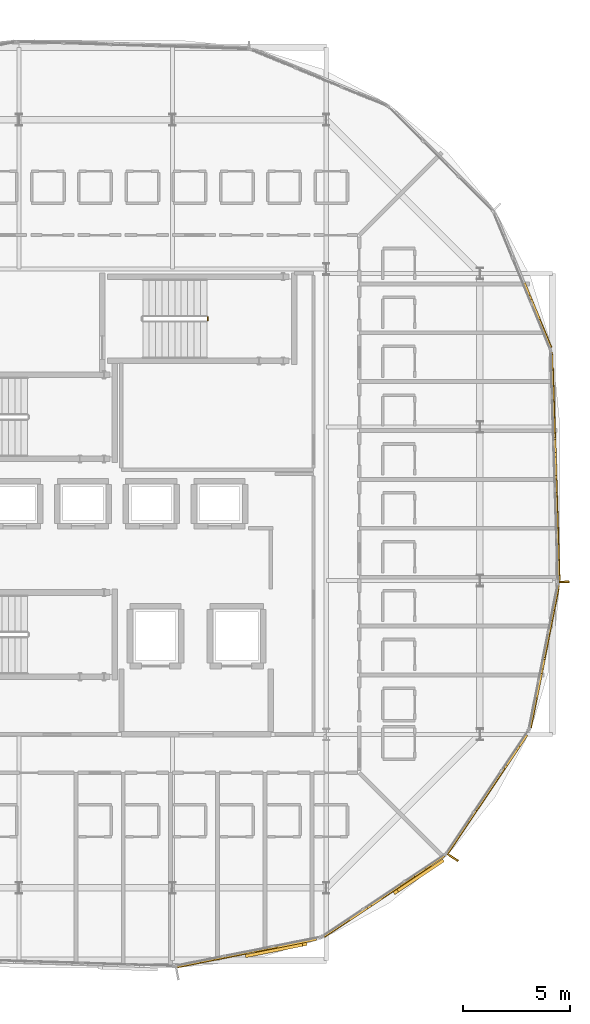
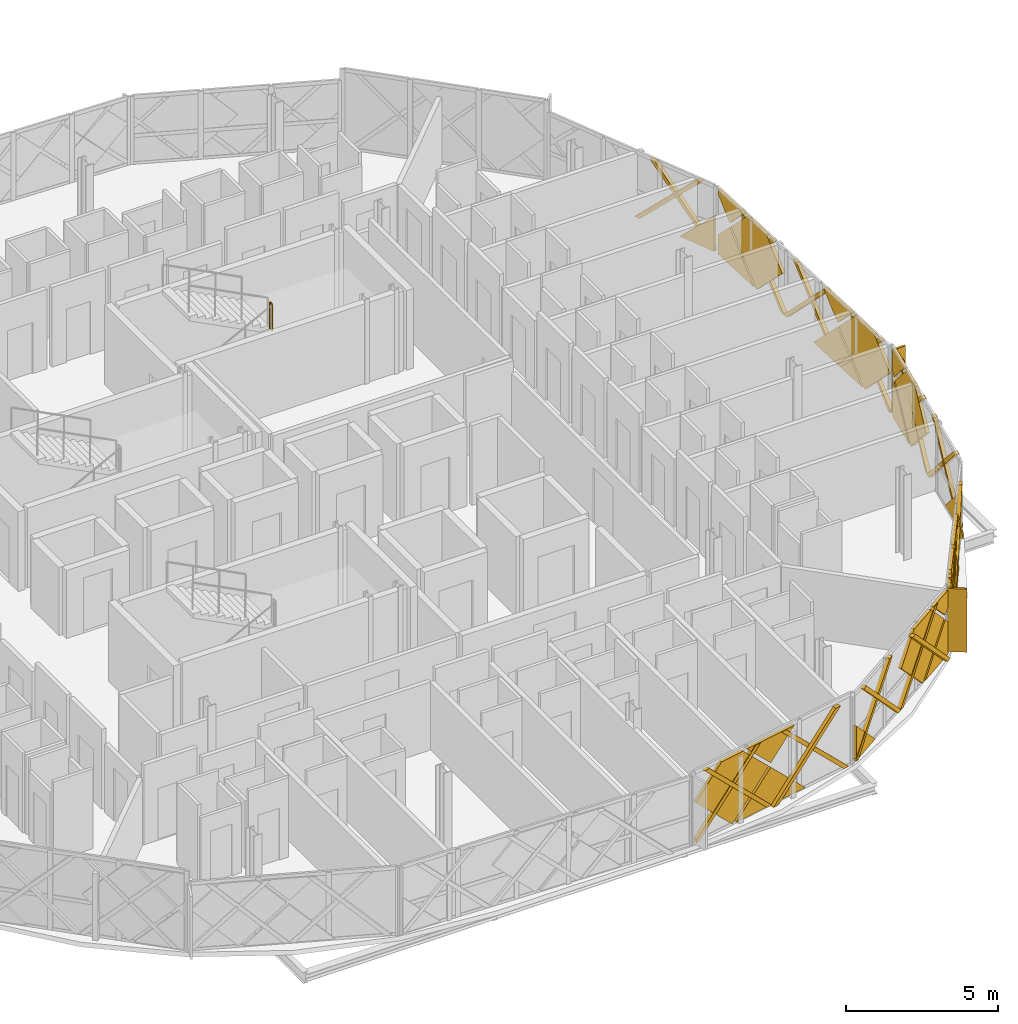
# One storey, part 48 of 50: 45 coverings, 2 shading devices, 1 railing.
"""IFC4 building model written with IfcOpenShell, lengths in metres."""

from ifc_helpers import new_model, si_unit, direction, frame, origin, origin_2d, place, context, subcontext, project, spatial, polyline, rectangle, circle, outline, extrude, material, layer, layer_set, type_object, element, save


model = new_model("IFC4")

# Units and contexts
model_context = context("Model", 3, precision=1e-05, world=origin(), true_north=direction((0.0, 1.0)))
body_context = subcontext(model_context, "Body", "Model", "MODEL_VIEW")
ifc_project = project(units=[si_unit("LENGTHUNIT", "METRE"), si_unit("AREAUNIT", "SQUARE_METRE"), si_unit("VOLUMEUNIT", "CUBIC_METRE"), si_unit("PLANEANGLEUNIT", "RADIAN"), si_unit("MASSUNIT", "GRAM", prefix="KILO")], contexts=[model_context])

# Site, building, storey
site_placement = place(None, origin())
site = spatial("IfcSite", under=ifc_project, at=site_placement, CompositionType="ELEMENT")
building_placement = place(site_placement, origin())
building = spatial("IfcBuilding", under=site, at=building_placement, Name="Zevrakil Square Congress Hotel", CompositionType="ELEMENT")
storey_placement = place(building_placement, frame((0.0, 0.0, 21.5)))
storey = spatial("IfcBuildingStorey", under=building, at=storey_placement, Name="L06", CompositionType="ELEMENT", Elevation=21.5)

# Coverings
ifc_material_1 = material(Name="Architectural White Fibre-C GRC", Category="concrete")
ifc_layer_1 = layer(ifc_material_1, 0.06494140625)
ifc_layer_set_1 = layer_set([ifc_layer_1], Name="Architectural White Fibre-C GRC")
covering_type_1 = type_object("IfcCoveringType", Name="COV-DIA-WHITE", PredefinedType="CLADDING", material=ifc_layer_set_1)
covering_1_placement = place(storey_placement, frame((152.21875, 6.503173828125, 1.590087890625), z_axis=(0.195074358725, -0.980788280172, 0.000586553491), x_axis=(0.693609627274, 0.137532945708, -0.707099974401)))
element("IfcCovering", 1, at=covering_1_placement, inside=storey, type_object=covering_type_1, Name="L06 45-degree white GRC diamond facade cassette 2478", PredefinedType="CLADDING", context=body_context, shape_type="SweptSolid", body=[
    extrude(outline(polyline([(0.0, 0.0), (2.135496846686384, 0.0), (6.252147105900718e-05, -2.1353939480228528), (0.0, 0.0)])), origin(), (0.0, 0.0, -1.0), 0.1201171875),
])
covering_2_placement = place(storey_placement, frame((152.130615234375, 6.485595703125, 1.679931640625), z_axis=(0.195077791754, -0.980787590783, 0.000597437351), x_axis=(-0.693482915894, -0.138363843984, -0.707062155713)))
element("IfcCovering", 2, at=covering_2_placement, inside=storey, type_object=covering_type_1, Name="L06 45-degree white GRC diamond facade cassette 2479", PredefinedType="CLADDING", context=body_context, shape_type="SweptSolid", body=[
    extrude(outline(polyline([(0.0, 0.0), (2.2485204294560215, -4.440892098500626e-16), (2.2487719968512794, -2.2343339293834266), (2.234616943929291, -2.2484907639587792), (0.6646961028299581, -2.248598034054498), (2.258299430069055e-05, -1.584008155403168), (0.0, 0.0)])), origin(), (0.0, 0.0, -1.0), 0.1201171875),
])
covering_3_placement = place(storey_placement, frame((152.21875, 6.50341796875, 1.77001953125), z_axis=(0.195067643182, -0.98078968103, 0.000464939408), x_axis=(-0.693559151212, -0.137605621833, 0.707135345327)))
element("IfcCovering", 3, at=covering_3_placement, inside=storey, type_object=covering_type_1, Name="L06 45-degree white GRC diamond facade cassette 2480", PredefinedType="CLADDING", context=body_context, shape_type="SweptSolid", body=[
    extrude(outline(polyline([(0.0, 0.0), (1.4566225598566156, 1.1102230246251565e-16), (-1.6695261860100175e-05, -1.456757261380807), (0.0, 0.0)])), origin(), (0.0, 0.0, -1.0), 0.1201171875),
])
covering_4_placement = place(storey_placement, frame((157.08447265625, 8.066650390625, 0.080078125), z_axis=(0.555618744269, -0.831436961663, 0.000624337381), x_axis=(-0.831437123709, -0.555618852558, 0.0)))
element("IfcCovering", 4, at=covering_4_placement, inside=storey, type_object=covering_type_1, Name="L06 45-degree white GRC diamond facade cassette 2485", PredefinedType="CLADDING", context=body_context, shape_type="SweptSolid", body=[
    extrude(outline(polyline([(0.0, 0.0), (1.4100444252712594, -5.421010862427522e-20), (1.4100434530275447, -1.409912384164952), (0.0, 0.0)])), origin(), (0.0, 0.0, -1.0), 0.1201171875),
])
covering_5_placement = place(storey_placement, frame((161.415771484375, 10.9619140625, 1.590087890625), z_axis=(0.555646371289, -0.83141852504, 0.000588466492), x_axis=(0.588259047676, 0.392639778992, -0.706954946782)))
element("IfcCovering", 5, at=covering_5_placement, inside=storey, type_object=covering_type_1, Name="L06 45-degree white GRC diamond facade cassette 2486", PredefinedType="CLADDING", context=body_context, shape_type="SweptSolid", body=[
    extrude(outline(polyline([(0.0, 0.0), (0.26280452104348384, 2.7755575615628914e-17), (1.1989671748778223, -0.9365658268783337), (-0.0003474997953980541, -2.135365949549591), (0.0, 0.0)])), origin(), (0.0, 0.0, -1.0), 0.1201171875),
])
covering_6_placement = place(storey_placement, frame((161.3408203125, 10.912109375, 1.679931640625), z_axis=(0.555617375152, -0.831437917465, 0.000567300516), x_axis=(-0.587738633932, -0.393245124827, -0.707051320615)))
element("IfcCovering", 6, at=covering_6_placement, inside=storey, type_object=covering_type_1, Name="L06 45-degree white GRC diamond facade cassette 2487", PredefinedType="CLADDING", context=body_context, shape_type="SweptSolid", body=[
    extrude(outline(polyline([(0.0, 0.0), (2.2485549969342724, 0.0), (2.248666170708535, -2.2483141302411838), (0.876864512526189, -2.24836589881734), (6.64782899535421e-05, -1.3717049327827517), (0.0, 0.0)])), origin(), (0.0, 0.0, -1.0), 0.1201171875),
])
covering_7_placement = place(storey_placement, frame((161.415771484375, 10.962158203125, 1.77001953125), z_axis=(0.55548496683, -0.831526383302, 0.000570525097), x_axis=(-0.588238161518, -0.392475891111, 0.707063321232)))
element("IfcCovering", 7, at=covering_7_placement, inside=storey, type_object=covering_type_1, Name="L06 45-degree white GRC diamond facade cassette 2488", PredefinedType="CLADDING", context=body_context, shape_type="SweptSolid", body=[
    extrude(outline(polyline([(0.0, 0.0), (1.244418573257192, 0.0), (0.49088577928966204, -0.7534405384711167), (0.0001669539378538476, -0.2625650616471176), (0.0, 0.0)])), origin(), (0.0, 0.0, -1.0), 0.1201171875),
])
covering_8_placement = place(storey_placement, frame((163.5458984375, 13.9404296875, 1.590087890625), z_axis=(0.831477485347, -0.555557927011, 0.000762296647), x_axis=(0.393284336532, 0.587639967958, -0.707111517864)))
element("IfcCovering", 8, at=covering_8_placement, inside=storey, type_object=covering_type_1, Name="L06 45-degree white GRC diamond facade cassette 2493", PredefinedType="CLADDING", context=body_context, shape_type="SweptSolid", body=[
    extrude(outline(polyline([(0.0, 0.0), (2.13546198509944, -2.220446049250313e-16), (7.94091468585556e-05, -2.135412425599662), (0.0, 0.0)])), origin(), (0.0, 0.0, -1.0), 0.1201171875),
])
covering_9_placement = place(storey_placement, frame((163.49609375, 13.865478515625, 1.679931640625), z_axis=(0.831455520838, -0.555590993949, 0.000603581663), x_axis=(-0.392537921791, -0.588210732742, -0.707051705212)))
element("IfcCovering", 9, at=covering_9_placement, inside=storey, type_object=covering_type_1, Name="L06 45-degree white GRC diamond facade cassette 2494", PredefinedType="CLADDING", context=body_context, shape_type="SweptSolid", body=[
    extrude(outline(polyline([(0.0, 0.0), (2.2485535568359056, 0.0), (2.2487990132814764, -2.234294706675563), (2.2346441695736265, -2.2484517503311783), (0.8770557034993053, -2.2485589464778397), (0.00016216354194020788, -1.371801650020413), (0.0, 0.0)])), origin(), (0.0, 0.0, -1.0), 0.1201171875),
])
covering_10_placement = place(storey_placement, frame((163.5458984375, 13.9404296875, 1.77001953125), z_axis=(0.831473529592, -0.555564145148, 0.000500214883), x_axis=(-0.393161565922, -0.587780464822, 0.70706301576)))
element("IfcCovering", 10, at=covering_10_placement, inside=storey, type_object=covering_type_1, Name="L06 45-degree white GRC diamond facade cassette 2495", PredefinedType="CLADDING", context=body_context, shape_type="SweptSolid", body=[
    extrude(outline(polyline([(0.0, 0.0), (1.244419228396692, 0.0), (-0.00015308060206342677, -1.244418572363953), (0.0, 0.0)])), origin(), (0.0, 0.0, -1.0), 0.1201171875),
])
covering_11_placement = place(storey_placement, frame((165.881103515625, 18.486328125, 0.080078125), z_axis=(0.980773112904, -0.195150299831, 0.000679323368), x_axis=(-0.19515034486, -0.980773339208, 0.0)))
element("IfcCovering", 11, at=covering_11_placement, inside=storey, type_object=covering_type_1, Name="L06 45-degree white GRC diamond facade cassette 2500", PredefinedType="CLADDING", context=body_context, shape_type="SweptSolid", body=[
    extrude(outline(polyline([(0.0, 0.0), (1.409920564436228, 5.421010862427522e-20), (1.4101111409448805, -1.4099124346984009), (0.0, 0.0)])), origin(), (0.0, 0.0, -1.0), 0.1201171875),
])
covering_12_placement = place(storey_placement, frame((166.896484375, 23.596435546875, 1.590087890625), z_axis=(0.980781294411, -0.195109431734, 0.000601815701), x_axis=(0.138356558336, 0.693312983016, -0.70723021029)))
element("IfcCovering", 12, at=covering_12_placement, inside=storey, type_object=covering_type_1, Name="L06 45-degree white GRC diamond facade cassette 2501", PredefinedType="CLADDING", context=body_context, shape_type="SweptSolid", body=[
    extrude(outline(polyline([(0.0, 0.0), (0.26270234437321993, 2.7755575615628914e-17), (1.199161918910315, -0.9362688493149549), (0.00035303784299656193, -2.1354968172801163), (0.0, 0.0)])), origin(), (0.0, 0.0, -1.0), 0.1201171875),
])
covering_13_placement = place(storey_placement, frame((166.87890625, 23.50830078125, 1.679931640625), z_axis=(0.980788061652, -0.195075400677, 0.000605121217), x_axis=(-0.137534535216, -0.6936808458, -0.707029798377)))
element("IfcCovering", 13, at=covering_13_placement, inside=storey, type_object=covering_type_1, Name="L06 45-degree white GRC diamond facade cassette 2502", PredefinedType="CLADDING", context=body_context, shape_type="SweptSolid", body=[
    extrude(outline(polyline([(0.0, 0.0), (2.2486233464273266, -2.220446049250313e-16), (2.24883985817297, -2.2483511179180136), (0.6650010775038158, -2.2487696436310523), (0.00012778879944219668, -1.5840409052458784), (0.0, 0.0)])), origin(), (0.0, 0.0, -1.0), 0.1201171875),
])
covering_14_placement = place(storey_placement, frame((166.896484375, 23.596435546875, 1.77001953125), z_axis=(0.980792782948, -0.195050848277, 0.000826743336), x_axis=(-0.138489526884, -0.693382827838, 0.707135704799)))
element("IfcCovering", 14, at=covering_14_placement, inside=storey, type_object=covering_type_1, Name="L06 45-degree white GRC diamond facade cassette 2503", PredefinedType="CLADDING", context=body_context, shape_type="SweptSolid", body=[
    extrude(outline(polyline([(0.0, 0.0), (1.456621739873703, 0.0), (0.5970135704969799, -0.8596791639595134), (9.038862454785468e-05, -0.26266862645373523), (0.0, 0.0)])), origin(), (0.0, 0.0, -1.0), 0.1201171875),
])
covering_15_placement = place(storey_placement, frame((166.847900390625, 27.25634765625, 1.590087890625), z_axis=(0.999500173978, 0.031608263347, 0.000565602362), x_axis=(-0.021950640625, 0.706764897631, -0.70710787639)))
element("IfcCovering", 15, at=covering_15_placement, inside=storey, type_object=covering_type_1, Name="L06 45-degree white GRC diamond facade cassette 2508", PredefinedType="CLADDING", context=body_context, shape_type="SweptSolid", body=[
    extrude(outline(polyline([(0.0, 0.0), (2.135472982330829, 0.0), (-3.0898232996845465e-05, -2.1355111789037706), (0.0, 0.0)])), origin(), (0.0, 0.0, -1.0), 0.1201171875),
])
covering_16_placement = place(storey_placement, frame((166.635498046875, 33.972900390625, 1.590087890625), z_axis=(0.999499890788, 0.031616847501, 0.00058589168), x_axis=(-0.021940379743, 0.706703348733, -0.707169708504)))
element("IfcCovering", 16, at=covering_16_placement, inside=storey, type_object=covering_type_1, Name="L06 45-degree white GRC diamond facade cassette 2509", PredefinedType="CLADDING", context=body_context, shape_type="SweptSolid", body=[
    extrude(outline(polyline([(0.0, 0.0), (1.0439944126182823, 0.0), (1.5898992639783331, -0.5454842721949064), (0.00015586173328729913, -2.1355111729942435), (0.0, 0.0)])), origin(), (0.0, 0.0, -1.0), 0.1201171875),
])
covering_17_placement = place(storey_placement, frame((166.8505859375, 27.166259765625, 1.679931640625), z_axis=(0.999500673558, 0.031591687986, 0.000607294816), x_axis=(0.022768554731, -0.706761102957, -0.707085805445)))
element("IfcCovering", 17, at=covering_17_placement, inside=storey, type_object=covering_type_1, Name="L06 45-degree white GRC diamond facade cassette 2510", PredefinedType="CLADDING", context=body_context, shape_type="SweptSolid", body=[
    extrude(outline(polyline([(0.0, 0.0), (2.2484453566165796, 0.0), (2.2486990282325396, -2.2344109676688877), (2.2345435018539948, -2.2485673286633308), (0.8767778474029073, -2.2484315986337107), (2.3673593816941896e-05, -1.371729233037232), (0.0, 0.0)])), origin(), (0.0, 0.0, -1.0), 0.1201171875),
])
covering_18_placement = place(storey_placement, frame((166.63818359375, 33.883056640625, 1.679931640625), z_axis=(0.999499154223, 0.031639447707, 0.00062133464), x_axis=(0.022813932454, -0.706813950356, -0.707031515612)))
element("IfcCovering", 18, at=covering_18_placement, inside=storey, type_object=covering_type_1, Name="L06 45-degree white GRC diamond facade cassette 2511", PredefinedType="CLADDING", context=body_context, shape_type="SweptSolid", body=[
    extrude(outline(polyline([(0.0, 0.0), (2.2486179131582205, -4.440892098500626e-16), (2.248879433557035, -2.2484016549809116), (0.8771229414322937, -2.248536846838896), (0.0003014924260111851, -1.3719017583371418), (0.0, 0.0)])), origin(), (0.0, 0.0, -1.0), 0.1201171875),
])
covering_19_placement = place(storey_placement, frame((166.84765625, 27.25634765625, 1.77001953125), z_axis=(0.999499526297, 0.031628853851, 0.000559049245), x_axis=(0.021972204634, -0.706837975856, 0.707034156255)))
element("IfcCovering", 19, at=covering_19_placement, inside=storey, type_object=covering_type_1, Name="L06 45-degree white GRC diamond facade cassette 2512", PredefinedType="CLADDING", context=body_context, shape_type="SweptSolid", body=[
    extrude(outline(polyline([(0.0, 0.0), (1.244470022722519, 1.1102230246251565e-16), (-0.00010450821034280189, -1.2443193056862252), (0.0, 0.0)])), origin(), (0.0, 0.0, -1.0), 0.1201171875),
])
covering_20_placement = place(storey_placement, frame((166.635498046875, 33.972900390625, 1.77001953125), z_axis=(0.999500483389, 0.031596122011, 0.000684674433), x_axis=(0.021857015275, -0.70674036463, 0.707135296733)))
element("IfcCovering", 20, at=covering_20_placement, inside=storey, type_object=covering_type_1, Name="L06 45-degree white GRC diamond facade cassette 2513", PredefinedType="CLADDING", context=body_context, shape_type="SweptSolid", body=[
    extrude(outline(polyline([(0.0, 0.0), (1.2442921219529217, 0.0), (0.10024517578542602, -1.144139666391311), (0.00011371286911654455, -1.0440163262692863), (0.0, 0.0)])), origin(), (0.0, 0.0, -1.0), 0.1201171875),
])
covering_21_placement = place(storey_placement, frame((166.02490234375, 36.2392578125, 0.080078125), z_axis=(0.923894304185, 0.382647378607, 0.000546204379), x_axis=(0.382647435687, -0.923894442002, 0.0)))
element("IfcCovering", 21, at=covering_21_placement, inside=storey, type_object=covering_type_1, Name="L06 45-degree white GRC diamond facade cassette 2520", PredefinedType="CLADDING", context=body_context, shape_type="SweptSolid", body=[
    extrude(outline(polyline([(0.0, 0.0), (1.4100467713356626, -5.421010862427522e-20), (1.4099920721498573, -1.4099123196910894), (0.0, 0.0)])), origin(), (0.0, 0.0, -1.0), 0.1201171875),
])
ifc_material_2 = material(Name="Anodised Champagne Aluminium", Category="aluminium")
ifc_layer_2 = layer(ifc_material_2, 0.0849609375)
ifc_layer_set_2 = layer_set([ifc_layer_2], Name="Anodised Champagne Aluminium")
covering_type_2 = type_object("IfcCoveringType", Name="COV-DIAGRID-45", PredefinedType="MOLDING", material=ifc_layer_set_2)
covering_22_placement = place(storey_placement, frame((149.11083984375, 5.858642578125, 0.080078125), z_axis=(0.195231142582, -0.980757131076, 0.000500809315), x_axis=(-0.980757254023, -0.195231167287, -4.51937e-07)))
element("IfcCovering", 22, at=covering_22_placement, inside=storey, type_object=covering_type_2, Name="L06 45-degree aluminium diagrid rib 2481", PredefinedType="MOLDING", context=body_context, shape_type="SweptSolid", body=[
    extrude(outline(polyline([(0.0, 0.0), (0.08589653397970738, -1.6940658945086007e-21), (0.08589647704627629, -0.1259765467018972), (-2.507998898797058, -2.719969906431181), (-2.7200592620049324, -2.719969738580158), (0.0, 0.0)])), origin(), (0.0, 0.0, -1.0), 0.14501953125),
])
covering_23_placement = place(storey_placement, frame((152.40625, 6.51416015625, 0.080078125), z_axis=(-0.195673415114, 0.980669115747, 6.198834e-06), x_axis=(-0.980669115765, -0.195673415118, 0.0)))
element("IfcCovering", 23, at=covering_23_placement, inside=storey, type_object=covering_type_2, Name="L06 45-degree aluminium diagrid rib 2482", PredefinedType="MOLDING", context=body_context, shape_type="SweptSolid", body=[
    extrude(outline(polyline([(0.0, 0.0), (0.21210804863334146, 0.0), (-2.50795025307804, 2.719970703177258), (-2.7200583017113815, 2.719970703177258), (0.0, 0.0)])), origin(), (0.0, 0.0, -1.0), 0.14501953125),
])
for number, where, z_axis, x_axis, name in (
    (24, (149.373291015625, 5.91259765625, 2.800048828125), (0.195119801359, -0.980779178514, 0.000682723167), (0.980779407141, 0.195119846575, -3.85449e-07), "L06 45-degree aluminium diagrid rib 2483"),
    (25, (152.668701171875, 6.568115234375, 2.800048828125), (0.195119801359, -0.980779178514, 0.000682723167), (0.980779407141, 0.195119846575, -3.85449e-07), "L06 45-degree aluminium diagrid rib 2484"),
):
    element("IfcCovering", number, at=place(storey_placement, frame(where, z_axis=z_axis, x_axis=x_axis)), inside=storey, type_object=covering_type_2, Name=name, PredefinedType="MOLDING", context=body_context, shape_type="SweptSolid", body=[
        extrude(outline(polyline([(0.0, 0.0), (0.2120603781629749, 3.3881317890172014e-21), (2.932218371926947, -2.719970206809904), (2.720110357082679, -2.719970370305029), (0.0, 0.0)])), origin(), (0.0, 0.0, -1.0), 0.14501953125),
    ])
covering_24_placement = place(storey_placement, frame((155.997314453125, 7.310302734375, 0.080078125), z_axis=(0.555372419952, -0.83160134051, 0.000828020483), x_axis=(-0.831601625299, -0.555372610775, -6.33604e-07)))
element("IfcCovering", 26, at=covering_24_placement, inside=storey, type_object=covering_type_2, Name="L06 45-degree aluminium diagrid rib 2489", PredefinedType="MOLDING", context=body_context, shape_type="SweptSolid", body=[
    extrude(outline(polyline([(0.0, 0.0), (0.08606257517690828, 6.776263578034403e-21), (0.08592690634131772, -0.12597668733929102), (-2.357953908220008, -2.5698235734846415), (-2.570232459512921, -2.569823465099774), (0.0, 0.0)])), origin(), (0.0, 0.0, -1.0), 0.14501953125),
])
covering_25_placement = place(storey_placement, frame((158.791259765625, 9.177001953125, 0.080078125), z_axis=(0.555496014522, -0.83151887888, 0.000729326042), x_axis=(-0.83151910003, -0.55549616226, 0.0)))
element("IfcCovering", 27, at=covering_25_placement, inside=storey, type_object=covering_type_2, Name="L06 45-degree aluminium diagrid rib 2490", PredefinedType="MOLDING", context=body_context, shape_type="SweptSolid", body=[
    extrude(outline(polyline([(0.0, 0.0), (0.21227855363602155, 0.0), (-2.3577495567231073, -2.5698249022161925), (-2.5700281103591287, -2.5698249022161925), (0.0, 0.0)])), origin(), (0.0, 0.0, -1.0), 0.14501953125),
])
covering_26_placement = place(storey_placement, frame((156.343994140625, 7.543701171875, 2.64990234375), z_axis=(0.555496090286, -0.831518992292, 0.000509053257), x_axis=(0.83151910003, 0.55549616226, 0.0)))
element("IfcCovering", 28, at=covering_26_placement, inside=storey, type_object=covering_type_2, Name="L06 45-degree aluminium diagrid rib 2491", PredefinedType="MOLDING", context=body_context, shape_type="SweptSolid", body=[
    extrude(outline(polyline([(0.0, 0.0), (0.21227855363602155, 0.0), (2.782235906161982, -2.5698245517160454), (2.5699573525259605, -2.5698245517160454), (0.0, 0.0)])), origin(), (0.0, 0.0, -1.0), 0.14501953125),
])
covering_27_placement = place(storey_placement, frame((159.1376953125, 9.410400390625, 2.64990234375), z_axis=(-0.555098369841, 0.831784707555, 8.798429e-06), x_axis=(0.831784707587, 0.555098369863, -4.208e-09)))
element("IfcCovering", 29, at=covering_27_placement, inside=storey, type_object=covering_type_2, Name="L06 45-degree aluminium diagrid rib 2492", PredefinedType="MOLDING", context=body_context, shape_type="SweptSolid", body=[
    extrude(outline(polyline([(0.0, 0.0), (0.2122785293528233, 0.0), (2.782236224430562, 2.5698242071406225), (2.5700932171406934, 2.5698242089267707), (0.0, 0.0)])), origin(), (0.0, 0.0, -1.0), 0.14501953125),
])
covering_28_placement = place(storey_placement, frame((161.80419921875, 11.287109375, 0.080078125), z_axis=(0.831719170717, -0.555196530835, 0.000182237057), x_axis=(-0.555196540038, -0.831719184539, -1.08732e-07)))
element("IfcCovering", 30, at=covering_28_placement, inside=storey, type_object=covering_type_2, Name="L06 45-degree aluminium diagrid rib 2496", PredefinedType="MOLDING", context=body_context, shape_type="SweptSolid", body=[
    extrude(outline(polyline([(0.0, 0.0), (0.08626561574752047, 0.0), (0.0862656020498742, -0.1259765604081367), (-2.3576793966097322, -2.5698240033215938), (-2.569957936468101, -2.5698239663024474), (0.0, 0.0)])), origin(), (0.0, 0.0, -1.0), 0.14501953125),
])
covering_29_placement = place(storey_placement, frame((163.6708984375, 14.080810546875, 0.080078125), z_axis=(0.831518992292, -0.555496090286, 0.000509053257), x_axis=(-0.55549616226, -0.83151910003, 0.0)))
element("IfcCovering", 31, at=covering_29_placement, inside=storey, type_object=covering_type_2, Name="L06 45-degree aluminium diagrid rib 2497", PredefinedType="MOLDING", context=body_context, shape_type="SweptSolid", body=[
    extrude(outline(polyline([(0.0, 0.0), (0.21227855363602155, 0.0), (-2.357678798889939, -2.5698245517160454), (-2.5699573525259605, -2.5698245517160454), (0.0, 0.0)])), origin(), (0.0, 0.0, -1.0), 0.14501953125),
])
covering_30_placement = place(storey_placement, frame((162.03515625, 11.63525390625, 2.64990234375), z_axis=(0.831607050651, -0.555363878116, 0.000822308513), x_axis=(0.555364065793, 0.831607331874, 1.30835e-07)))
element("IfcCovering", 32, at=covering_30_placement, inside=storey, type_object=covering_type_2, Name="L06 45-degree aluminium diagrid rib 2498", PredefinedType="MOLDING", context=body_context, shape_type="SweptSolid", body=[
    extrude(outline(polyline([(0.0, 0.0), (0.2119399348937822, 1.3552527156068805e-20), (2.7821704080084517, -2.5698254516019436), (2.569891857050786, -2.569825396099343), (0.0, 0.0)])), origin(), (0.0, 0.0, -1.0), 0.14501953125),
])
covering_31_placement = place(storey_placement, frame((163.90185546875, 14.428955078125, 2.64990234375), z_axis=(0.831518924193, -0.555496044793, 0.000650329414), x_axis=(0.55549616226, 0.83151910003, 0.0)))
element("IfcCovering", 33, at=covering_31_placement, inside=storey, type_object=covering_type_2, Name="L06 45-degree aluminium diagrid rib 2499", PredefinedType="MOLDING", context=body_context, shape_type="SweptSolid", body=[
    extrude(outline(polyline([(0.0, 0.0), (0.21227855363602155, -2.710505431213761e-20), (2.782171044814911, -2.569824762175926), (2.5698924911788894, -2.569824762175926), (0.0, 0.0)])), origin(), (0.0, 0.0, -1.0), 0.14501953125),
])
covering_32_placement = place(storey_placement, frame((165.647216796875, 17.18310546875, 0.080078125), z_axis=(0.980854891146, -0.194739873936, 0.00025301002), x_axis=(-0.194739880048, -0.980854922564, -4.8925e-07)))
element("IfcCovering", 34, at=covering_32_placement, inside=storey, type_object=covering_type_2, Name="L06 45-degree aluminium diagrid rib 2504", PredefinedType="MOLDING", context=body_context, shape_type="SweptSolid", body=[
    extrude(outline(polyline([(0.0, 0.0), (0.08608840699475531, 0.0), (0.08613588927676488, -0.12597661907854185), (-2.50785886983077, -2.7199695404894326), (-2.7199192784618513, -2.71996944624506), (0.0, 0.0)])), origin(), (0.0, 0.0, -1.0), 0.14501953125),
])
covering_33_placement = place(storey_placement, frame((166.302734375, 20.478515625, 0.080078125), z_axis=(0.980668426494, -0.195673277587, 0.00118562941), x_axis=(-0.195673415118, -0.980669115765, 0.0)))
element("IfcCovering", 35, at=covering_33_placement, inside=storey, type_object=covering_type_2, Name="L06 45-degree aluminium diagrid rib 2505", PredefinedType="MOLDING", context=body_context, shape_type="SweptSolid", body=[
    extrude(outline(polyline([(0.0, 0.0), (0.21210804863334146, 0.0), (-2.5078080616315073, -2.719972614881677), (-2.7199161102648493, -2.719972614881677), (0.0, 0.0)])), origin(), (0.0, 0.0, -1.0), 0.14501953125),
])
for number, where, z_axis, x_axis, name in (
    (36, (165.697998046875, 17.446044921875, 2.800048828125), (0.980779277404, -0.195119821033, 0.00051425101), (0.195119846687, 0.980779407119, 2.90333e-07), "L06 45-degree aluminium diagrid rib 2506"),
    (37, (166.353515625, 20.741455078125, 2.800048828125), (0.980779277404, -0.195119821033, 0.00051425101), (0.195119846687, 0.980779407119, 2.90333e-07), "L06 45-degree aluminium diagrid rib 2507"),
):
    element("IfcCovering", number, at=place(storey_placement, frame(where, z_axis=z_axis, x_axis=x_axis)), inside=storey, type_object=covering_type_2, Name=name, PredefinedType="MOLDING", context=body_context, shape_type="SweptSolid", body=[
        extrude(outline(polyline([(0.0, 0.0), (0.21206037816296808, 3.3881317890172014e-21), (2.9321174663846676, -2.7199719140705545), (2.7200094515403794, -2.719971790920298), (0.0, 0.0)])), origin(), (0.0, 0.0, -1.0), 0.14501953125),
    ])
covering_34_placement = place(storey_placement, frame((166.97412109375, 24.084716796875, 0.080078125), z_axis=(0.999504786723, 0.03145778422, 0.000767547374), x_axis=(0.031457793355, -0.999505081146, 1.71279e-07)))
element("IfcCovering", 38, at=covering_34_placement, inside=storey, type_object=covering_type_2, Name="L06 45-degree aluminium diagrid rib 2514", PredefinedType="MOLDING", context=body_context, shape_type="SweptSolid", body=[
    extrude(outline(polyline([(0.0, 0.0), (0.0859794492896462, 0.0), (0.08597947086675292, -0.12597652539177134), (-2.357918842029215, -2.569825399135297), (-2.5699353876482443, -2.5698253757230383), (0.0, 0.0)])), origin(), (0.0, 0.0, -1.0), 0.14501953125),
])
covering_35_placement = place(storey_placement, frame((166.867919921875, 27.443115234375, 0.080078125), z_axis=(0.999515939033, 0.031090933587, 0.001114211577), x_axis=(0.031090952887, -0.999516559467, 0.0)))
element("IfcCovering", 39, at=covering_35_placement, inside=storey, type_object=covering_type_2, Name="L06 45-degree aluminium diagrid rib 2515", PredefinedType="MOLDING", context=body_context, shape_type="SweptSolid", body=[
    extrude(outline(polyline([(0.0, 0.0), (0.21201655989873802, 8.470329472543003e-22), (-2.357918390096403, -2.56982581392803), (-2.569934949995141, -2.56982581392803), (0.0, 0.0)])), origin(), (0.0, 0.0, -1.0), 0.14501953125),
])
covering_36_placement = place(storey_placement, frame((166.76171875, 30.801513671875, 0.080078125), z_axis=(0.999517009758, 0.031055189026, 0.001149973643), x_axis=(0.03105520956, -0.999517670659, 0.0)))
element("IfcCovering", 40, at=covering_36_placement, inside=storey, type_object=covering_type_2, Name="L06 45-degree aluminium diagrid rib 2516", PredefinedType="MOLDING", context=body_context, shape_type="SweptSolid", body=[
    extrude(outline(polyline([(0.0, 0.0), (0.21226058263198566, 8.470329472543003e-22), (-2.357674263325541, -2.569825917970058), (-2.5699348459575266, -2.569825917970058), (0.0, 0.0)])), origin(), (0.0, 0.0, -1.0), 0.14501953125),
])
covering_37_placement = place(storey_placement, frame((166.959228515625, 24.50244140625, 2.64990234375), z_axis=(0.999498879596, 0.03164792077, 0.000631504294), x_axis=(-0.031647926859, 0.999499078902, -3.51905e-07)))
element("IfcCovering", 41, at=covering_37_placement, inside=storey, type_object=covering_type_2, Name="L06 45-degree aluminium diagrid rib 2517", PredefinedType="MOLDING", context=body_context, shape_type="SweptSolid", body=[
    extrude(outline(polyline([(0.0, 0.0), (0.21201652698044274, -8.470329472543003e-22), (2.7821048776729014, -2.569823752134146), (2.5698366058180055, -2.569823901442013), (0.0, 0.0)])), origin(), (0.0, 0.0, -1.0), 0.14501953125),
])
covering_38_placement = place(storey_placement, frame((166.85302734375, 27.860595703125, 2.64990234375), z_axis=(0.999499465832, 0.031629729931, 0.000614805505), x_axis=(-0.031629735692, 0.999499654737, -3.53396e-07)))
element("IfcCovering", 42, at=covering_38_placement, inside=storey, type_object=covering_type_2, Name="L06 45-degree aluminium diagrid rib 2518", PredefinedType="MOLDING", context=body_context, shape_type="SweptSolid", body=[
    extrude(outline(polyline([(0.0, 0.0), (0.21226054756600946, 0.0), (2.782348929050031, -2.569823721158895), (2.5700806593805807, -2.569823871185523), (0.0, 0.0)])), origin(), (0.0, 0.0, -1.0), 0.14501953125),
])
covering_39_placement = place(storey_placement, frame((166.746826171875, 31.218994140625, 2.64990234375), z_axis=(0.999516551884, 0.031090952651, 0.000123181444), x_axis=(-0.031090952887, 0.999516559467, 0.0)))
element("IfcCovering", 43, at=covering_39_placement, inside=storey, type_object=covering_type_2, Name="L06 45-degree aluminium diagrid rib 2519", PredefinedType="MOLDING", context=body_context, shape_type="SweptSolid", body=[
    extrude(outline(polyline([(0.0, 0.0), (0.21201655989873802, 2.117582368135751e-22), (2.7820968551507006, -2.56982423824683), (2.570080295251963, -2.56982423824683), (0.0, 0.0)])), origin(), (0.0, 0.0, -1.0), 0.14501953125),
])
covering_40_placement = place(storey_placement, frame((166.5546875, 35.025634765625, 0.080078125), z_axis=(0.923940150507, 0.382536238631, 0.000790199306), x_axis=(0.382536358103, -0.923940438951, -5.6226e-08)))
element("IfcCovering", 44, at=covering_40_placement, inside=storey, type_object=covering_type_2, Name="L06 45-degree aluminium diagrid rib 2524", PredefinedType="MOLDING", context=body_context, shape_type="SweptSolid", body=[
    extrude(outline(polyline([(0.0, 0.0), (0.08614428502001663, -6.776263578034403e-21), (0.0860508852713119, -0.1259767014102793), (-2.357836646722698, -2.5698248664175085), (-2.570070235523014, -2.5698249500705446), (0.0, 0.0)])), origin(), (0.0, 0.0, -1.0), 0.14501953125),
])
covering_41_placement = place(storey_placement, frame((166.393310546875, 35.4111328125, 2.64990234375), z_axis=(0.923925597763, 0.382571931826, 0.000454727709), x_axis=(-0.382571971481, 0.923925693244, 2.41649e-07)))
element("IfcCovering", 45, at=covering_41_placement, inside=storey, type_object=covering_type_2, Name="L06 45-degree aluminium diagrid rib 2526", PredefinedType="MOLDING", context=body_context, shape_type="SweptSolid", body=[
    extrude(outline(polyline([(0.0, 0.0), (0.2122335933052732, 6.776263578034403e-21), (2.781991196794284, -2.5698251567052073), (2.569851004849236, -2.5698250541558503), (0.0, 0.0)])), origin(), (0.0, 0.0, -1.0), 0.14501953125),
])

# Railing
ifc_material_3 = material(Name="Steel S355", Category="steel")
railing_type = type_object("IfcRailingType", Name="RLG-STAIR-GUARD-1100", PredefinedType="BALUSTRADE", material=ifc_material_3)
railing_placement = place(storey_placement, frame((150.449951171875, 36.199951171875, 1.699951171875)))
element("IfcRailing", 46, at=railing_placement, inside=storey, type_object=railing_type, Name="L06 ST03 stair guard 2", PredefinedType="BALUSTRADE", context=body_context, shape_type="SweptSolid", body=[
    extrude(circle(Radius=0.02392578125, at=origin_2d()), frame((0.0, 0.0, 1.076171875), z_axis=(0.0, 1.0, 0.0), x_axis=(-1.0, 0.0, 0.0)), (0.0, 0.0, 1.0), 0.150146484375),
    extrude(circle(Radius=0.02099609375, at=origin_2d()), origin(), (0.0, 0.0, 1.0), 1.052001953125),
    extrude(circle(Radius=0.02099609375, at=origin_2d()), frame((0.0, 0.150146484375, 0.0)), (0.0, 0.0, 1.0), 1.052001953125),
])

# Shading devices
ifc_material_4 = material(Name="Aluminium Anodised Bronze", Category="aluminium")
shading_device_type_1 = type_object("IfcShadingDeviceType", Name="SHD-FIN-50", PredefinedType="JALOUSIE", material=ifc_material_4)
shading_device_1_placement = place(storey_placement, frame((167.128662109375, 23.943603515625, 0.10009765625), z_axis=(0.0, 0.0, 1.0), x_axis=(0.999500511513, 0.031602649982, 0.0)))
element("IfcShadingDevice", 47, at=shading_device_1_placement, inside=storey, type_object=shading_device_type_1, Name="L06 aluminium solar shading fin 139", PredefinedType="JALOUSIE", context=body_context, shape_type="SweptSolid", body=[
    extrude(rectangle(XDim=0.5, YDim=0.080078125, at=origin_2d()), origin(), (0.0, 0.0, 1.0), 2.530029296875),
])
ifc_material_5 = material(Name="Aluminium Anodised Bronze", Category="aluminium")
shading_device_type_2 = type_object("IfcShadingDeviceType", Name="SHD-FIN-65", PredefinedType="USERDEFINED", material=ifc_material_5)
shading_device_2_placement = place(storey_placement, frame((161.91015625, 11.04052734375, 0.10009765625), z_axis=(0.0, 0.0, 1.0), x_axis=(0.831469612303, -0.55557023302, 0.0)))
element("IfcShadingDevice", 48, at=shading_device_2_placement, inside=storey, type_object=shading_device_type_2, Name="L06 aluminium solar shading fin 138", ObjectType="SOLAR FIN", PredefinedType="USERDEFINED", context=body_context, shape_type="SweptSolid", body=[
    extrude(rectangle(XDim=0.64990234375, YDim=0.080078125, at=origin_2d()), origin(), (0.0, 0.0, 1.0), 2.530029296875),
])

save(model, "model.ifc")
